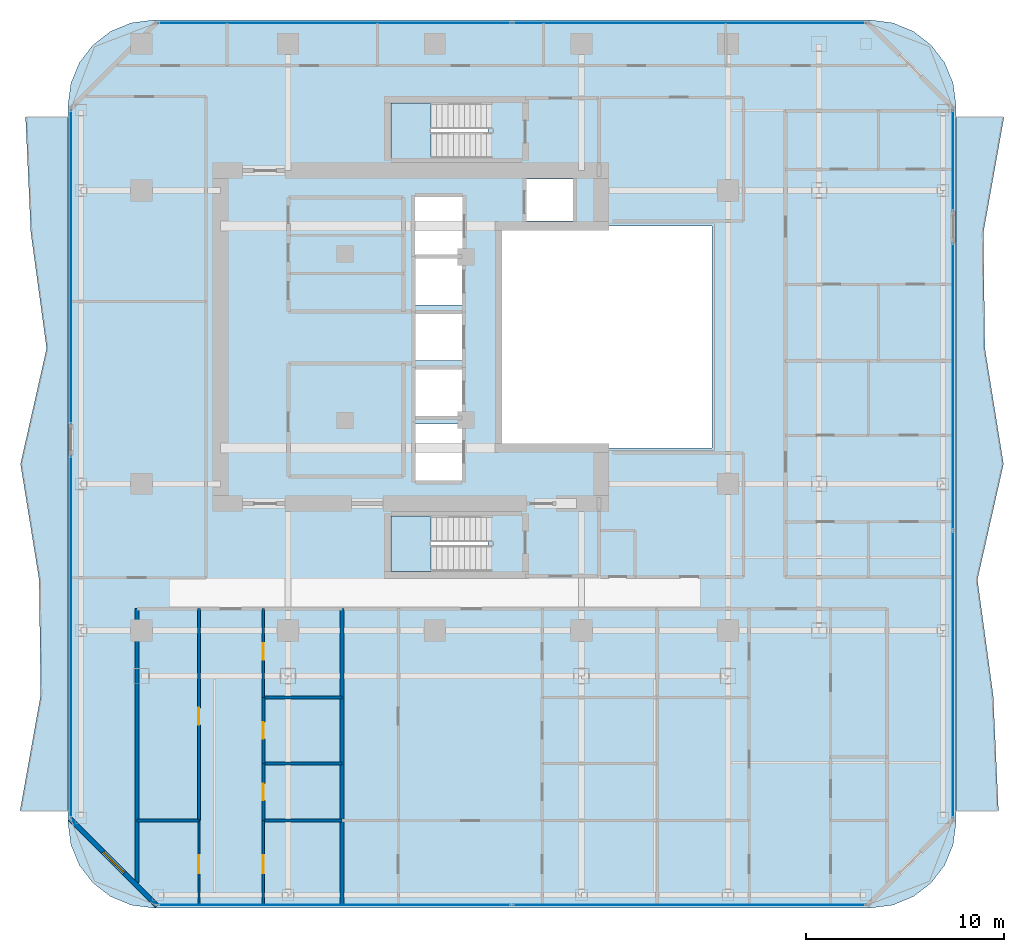
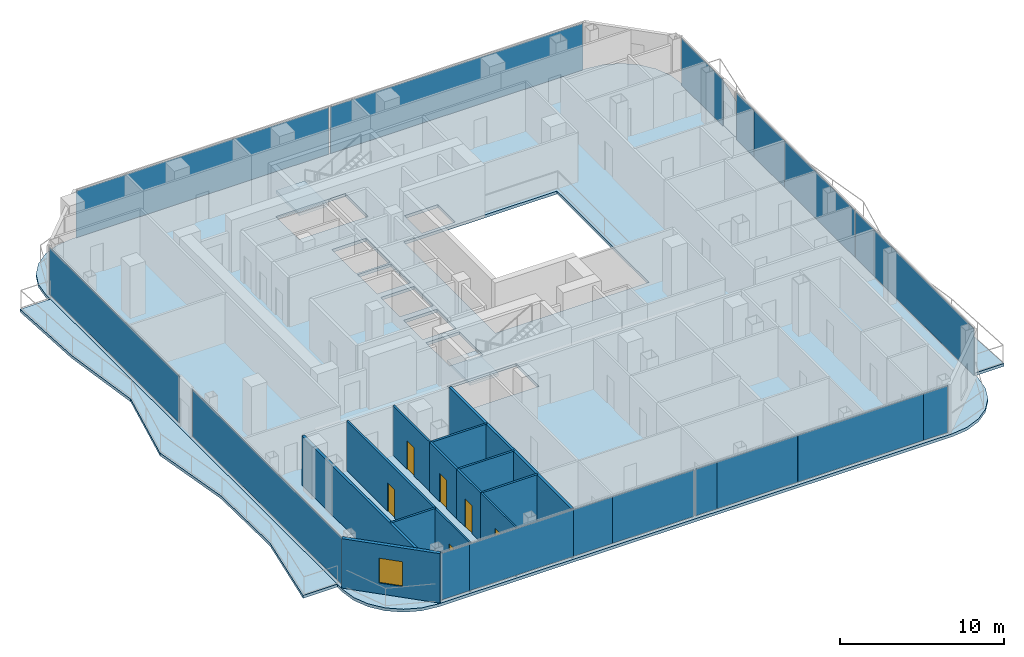
# One storey, part 19 of 27: 18 plates, 13 walls, 6 doors, 5 slabs, 1 window, 7 openings, 8 elements without a shape of their own.
"""IFC4 building model written with IfcOpenShell, lengths in metres."""

from ifc_helpers import new_model, si_unit, direction, frame, frame_2d, origin, origin_2d, place, context, subcontext, project, spatial, polyline, rectangle, outline, extrude, material, layer, layer_set, type_object, element, fill, aggregate, save


model = new_model("IFC4")

# Units and contexts
model_context = context("Model", 3, precision=1e-05, world=origin(), true_north=direction((0.0, 1.0)))
body_context = subcontext(model_context, "Body", "Model", "MODEL_VIEW")
ifc_project = project(units=[si_unit("LENGTHUNIT", "METRE"), si_unit("AREAUNIT", "SQUARE_METRE"), si_unit("VOLUMEUNIT", "CUBIC_METRE"), si_unit("PLANEANGLEUNIT", "RADIAN"), si_unit("MASSUNIT", "GRAM", prefix="KILO")], contexts=[model_context])

# Site, building, storey
site_placement = place(None, origin())
site = spatial("IfcSite", under=ifc_project, at=site_placement, CompositionType="ELEMENT")
building_placement = place(site_placement, origin())
building = spatial("IfcBuilding", under=site, at=building_placement, Name="Khorvyn Point Tower", CompositionType="ELEMENT")
storey_placement = place(building_placement, frame((0.0, 0.0, 227.39990234375)))
storey = spatial("IfcBuildingStorey", under=building, at=storey_placement, Name="L56", CompositionType="ELEMENT", Elevation=227.39990234375)

# Slabs
ifc_material_1 = material(Name="Concrete C35/45", Category="concrete")
ifc_layer_1 = layer(ifc_material_1, 0.219970703125)
ifc_layer_set_1 = layer_set([ifc_layer_1], Name="Concrete C35/45 Structural Floor Slab 220")
slab_type_1 = type_object("IfcSlabType", Name="Concrete C35/45 Structural Floor Slab 220", PredefinedType="FLOOR", material=ifc_layer_set_1)
slab_1_placement = place(storey_placement, frame((0.0, 0.0, -0.219970703125)))
element("IfcSlab", 1, at=slab_1_placement, inside=storey, type_object=slab_type_1, Name="L56 Main Structural Floor Slab", PredefinedType="FLOOR", context=body_context, shape_type="SweptSolid", body=[
    extrude(outline(polyline([(-14.199951171875, -28.800048828125), (-15.31298828125, -28.653564453125), (-16.35009765625, -28.223876953125), (-17.240478515625, -27.54052734375), (-17.923828125, -26.64990234375), (-18.353515625, -25.61279296875), (-18.5, -24.5), (-18.5, 11.699951171875), (-18.353515625, 12.81298828125), (-17.923828125, 13.85009765625), (-17.240478515625, 14.740478515625), (-16.35009765625, 15.423828125), (-15.31298828125, 15.853515625), (-14.199951171875, 16.0), (22.0, 16.0), (23.11279296875, 15.853515625), (24.14990234375, 15.423828125), (25.04052734375, 14.740478515625), (25.723876953125, 13.85009765625), (26.153564453125, 12.81298828125), (26.300048828125, 11.699951171875), (26.300048828125, -24.5), (26.153564453125, -25.61279296875), (25.723876953125, -26.64990234375), (25.04052734375, -27.54052734375), (24.14990234375, -28.223876953125), (23.11279296875, -28.653564453125), (22.0, -28.800048828125), (-14.199951171875, -28.800048828125)]), holes=[polyline([(2.679931640625, -11.820068359375), (2.679931640625, -9.02001953125), (-2.199951171875, -9.02001953125), (-2.199951171875, -11.820068359375), (2.679931640625, -11.820068359375)]), polyline([(1.375, -7.22509765625), (1.375, -4.375), (-0.97509765625, -4.375), (-0.97509765625, -7.22509765625), (1.375, -7.22509765625)]), polyline([(1.375, -3.97509765625), (1.375, -1.625), (-0.97509765625, -1.625), (-0.97509765625, -3.97509765625), (1.375, -3.97509765625)]), polyline([(1.375, -1.175048828125), (1.375, 1.175048828125), (-0.97509765625, 1.175048828125), (-0.97509765625, -1.175048828125), (1.375, -1.175048828125)]), polyline([(14.0, -5.60009765625), (14.0, 5.60009765625), (3.199951171875, 5.60009765625), (3.199951171875, -5.60009765625), (14.0, -5.60009765625)]), polyline([(1.375, 1.625), (1.375, 3.97509765625), (-0.97509765625, 3.97509765625), (-0.97509765625, 1.625), (1.375, 1.625)]), polyline([(1.39990234375, 4.125), (1.39990234375, 7.074951171875), (-1.0, 7.074951171875), (-1.0, 4.125), (1.39990234375, 4.125)]), polyline([(4.625, 5.85009765625), (6.97509765625, 5.85009765625), (6.97509765625, 7.97998046875), (4.625, 7.97998046875), (4.625, 5.85009765625)]), polyline([(-2.199951171875, 9.02001953125), (2.679931640625, 9.02001953125), (2.679931640625, 11.820068359375), (-2.199951171875, 11.820068359375), (-2.199951171875, 9.02001953125)])]), origin(), (0.0, 0.0, 1.0), 0.219970703125),
])
ifc_material_2 = material(Name="Concrete C40/50", Category="concrete")
ifc_layer_2 = layer(ifc_material_2, 0.2099609375)
ifc_layer_set_2 = layer_set([ifc_layer_2], Name="Concrete C40/50 Rippling Balcony Slab 210")
slab_type_2 = type_object("IfcSlabType", Name="Concrete C40/50 Rippling Balcony Slab 210", PredefinedType="USERDEFINED", material=ifc_layer_set_2)
slab_2_placement = place(storey_placement, frame((0.0, 0.0, -0.2099609375)))
element("IfcSlab", 2, at=slab_2_placement, inside=storey, type_object=slab_type_2, Name="L56 East Sinusoidal Rippling Balcony", ObjectType="BALCONY", PredefinedType="USERDEFINED", context=body_context, shape_type="SweptSolid", body=[
    extrude(outline(polyline([(26.300048828125, -23.89990234375), (28.443603515625, -23.89990234375), (28.177490234375, -18.066650390625), (27.38037109375, -12.2333984375), (28.69775390625, -6.39990234375), (27.7578125, -0.566650390625), (27.679931640625, 5.2666015625), (28.722412109375, 11.10009765625), (26.300048828125, 11.10009765625), (26.300048828125, -23.89990234375)])), origin(), (0.0, 0.0, 1.0), 0.2099609375),
])
slab_3_placement = place(storey_placement, frame((0.0, 0.0, -0.2099609375)))
element("IfcSlab", 3, at=slab_3_placement, inside=storey, type_object=slab_type_2, Name="L56 West Sinusoidal Rippling Balcony", ObjectType="BALCONY", PredefinedType="USERDEFINED", context=body_context, shape_type="SweptSolid", body=[
    extrude(outline(polyline([(-18.5, 11.10009765625), (-20.6435546875, 11.10009765625), (-20.37744140625, 5.2666015625), (-19.580322265625, -0.566650390625), (-20.897705078125, -6.39990234375), (-19.957763671875, -12.2333984375), (-19.8798828125, -18.066650390625), (-20.922607421875, -23.89990234375), (-18.5, -23.89990234375), (-18.5, 11.10009765625)])), origin(), (0.0, 0.0, 1.0), 0.2099609375),
])

# Stair, slab
stair_type = type_object("IfcStairType", Name="Tower Concrete C40/50 Dogleg Exit Stair", PredefinedType="HALF_TURN_STAIR", material=ifc_material_2)
stair_1_placement = place(storey_placement, origin())
stair_1 = element("IfcStair", 4, at=stair_1_placement, inside=storey, type_object=stair_type, Name="L56 Tower Smokeproof Exit Stair South", PredefinedType="HALF_TURN_STAIR")
ifc_layer_3 = layer(ifc_material_2, 0.199951171875)
ifc_layer_set_3 = layer_set([ifc_layer_3], Name="Concrete C40/50 Stair Landing Slab 200")
slab_type_3 = type_object("IfcSlabType", Name="Concrete C40/50 Stair Landing Slab 200", PredefinedType="LANDING", material=ifc_layer_set_3)
slab_4_placement = place(storey_placement, frame((0.0, 0.0, 1.75)))
slab_4 = element("IfcSlab", 5, at=slab_4_placement, type_object=slab_type_3, Name="ST-01 landing 1", PredefinedType="LANDING", context=body_context, shape_type="SweptSolid", body=[
    extrude(outline(polyline([(-0.179931640625, -9.02001953125), (-2.199951171875, -9.02001953125), (-2.199951171875, -11.820068359375), (-0.179931640625, -11.820068359375), (-0.179931640625, -9.02001953125)])), origin(), (0.0, 0.0, 1.0), 0.2001953125),
])
aggregate(stair_1, [slab_4])

stair_2_placement = place(storey_placement, origin())
stair_2 = element("IfcStair", 6, at=stair_2_placement, inside=storey, type_object=stair_type, Name="L56 Tower Smokeproof Exit Stair North", PredefinedType="HALF_TURN_STAIR")
slab_5_placement = place(storey_placement, frame((0.0, 0.0, 1.75)))
slab_5 = element("IfcSlab", 7, at=slab_5_placement, type_object=slab_type_3, Name="ST-02 landing 1", PredefinedType="LANDING", context=body_context, shape_type="SweptSolid", body=[
    extrude(outline(polyline([(-0.179931640625, 11.820068359375), (-2.199951171875, 11.820068359375), (-2.199951171875, 9.02001953125), (-0.179931640625, 9.02001953125), (-0.179931640625, 11.820068359375)])), origin(), (0.0, 0.0, 1.0), 0.2001953125),
])
aggregate(stair_2, [slab_5])

# Curtain wall, plates
ifc_material_3 = material(Name="Anodised aluminium 6063-T6 and laminated Low-E glass", Category="aluminium")
ifc_layer_4 = layer(ifc_material_3, 0.18994140625)
ifc_layer_set_4 = layer_set([ifc_layer_4], Name="Stick-Built Acoustic Curtain Wall CW-SYS-03")
curtain_wall_type = type_object("IfcCurtainWallType", Name="Stick-Built Acoustic Curtain Wall CW-SYS-03", PredefinedType="NOTDEFINED", material=ifc_layer_set_4)
curtain_wall_1_placement = place(storey_placement, origin())
curtain_wall_1 = element("IfcCurtainWall", 8, at=curtain_wall_1_placement, inside=storey, type_object=curtain_wall_type, Name="Curtain Wall", PredefinedType="NOTDEFINED")
ifc_material_4 = material(Name="Laminated Low-E insulated glass", Category="glass")
ifc_layer_5 = layer(ifc_material_4, 0.028076171875)
ifc_layer_set_5 = layer_set([ifc_layer_5], Name="Tempered Low-E Vision Glazing Panel CW-GL28")
plate_type = type_object("IfcPlateType", Name="Tempered Low-E Vision Glazing Panel CW-GL28", PredefinedType="CURTAIN_PANEL", material=ifc_layer_set_5)
plate_1_placement = place(storey_placement, frame((4.717529296875, -28.64990234375, 0.10009765625), z_axis=(0.0, 0.0, 1.0), x_axis=(-1.0, 0.0, 0.0)))
plate_1 = element("IfcPlate", 9, at=plate_1_placement, type_object=plate_type, Name="Panel", PredefinedType="CURTAIN_PANEL", context=body_context, shape_type="SweptSolid", body=[
    extrude(rectangle(XDim=1.527099609375, YDim=0.028076171875, at=origin_2d()), origin(), (0.0, 0.0, 1.0), 3.47998046875),
])
plate_2_placement = place(storey_placement, frame((8.326416015625, -28.64990234375, 0.10009765625), z_axis=(0.0, 0.0, 1.0), x_axis=(-1.0, 0.0, 0.0)))
plate_2 = element("IfcPlate", 10, at=plate_2_placement, type_object=plate_type, Name="Panel", PredefinedType="CURTAIN_PANEL", context=body_context, shape_type="SweptSolid", body=[
    extrude(rectangle(XDim=5.675048828125, YDim=0.028076171875, at=origin_2d()), origin(), (0.0, 0.0, 1.0), 3.47998046875),
])
plate_3_placement = place(storey_placement, frame((15.59912109375, -28.64990234375, 0.10009765625), z_axis=(0.0, 0.0, 1.0), x_axis=(-1.0, 0.0, 0.0)))
plate_3 = element("IfcPlate", 11, at=plate_3_placement, type_object=plate_type, Name="Panel", PredefinedType="CURTAIN_PANEL", context=body_context, shape_type="SweptSolid", body=[
    extrude(rectangle(XDim=8.85400390625, YDim=0.028076171875, at=origin_2d()), origin(), (0.0, 0.0, 1.0), 3.47998046875),
])
plate_4_placement = place(storey_placement, frame((20.889892578125, -28.64990234375, 0.10009765625), z_axis=(0.0, 0.0, 1.0), x_axis=(-1.0, 0.0, 0.0)))
plate_4 = element("IfcPlate", 12, at=plate_4_placement, type_object=plate_type, Name="Panel", PredefinedType="CURTAIN_PANEL", context=body_context, shape_type="SweptSolid", body=[
    extrude(rectangle(XDim=1.7119140625, YDim=0.028076171875, at=origin_2d()), origin(), (0.0, 0.0, 1.0), 3.47998046875),
])
plate_5_placement = place(storey_placement, frame((-12.951904296875, -28.64990234375, 0.10009765625), z_axis=(0.0, 0.0, 1.0), x_axis=(-1.0, 0.0, 0.0)))
plate_5 = element("IfcPlate", 13, at=plate_5_placement, type_object=plate_type, Name="Panel", PredefinedType="CURTAIN_PANEL", context=body_context, shape_type="SweptSolid", body=[
    extrude(rectangle(XDim=1.988037109375, YDim=0.028076171875, at=origin_2d()), origin(), (0.0, 0.0, 1.0), 3.47998046875),
])
plate_6_placement = place(storey_placement, frame((-8.285400390625, -28.64990234375, 0.10009765625), z_axis=(0.0, 0.0, 1.0), x_axis=(-1.0, 0.0, 0.0)))
plate_6 = element("IfcPlate", 14, at=plate_6_placement, type_object=plate_type, Name="Panel", PredefinedType="CURTAIN_PANEL", context=body_context, shape_type="SweptSolid", body=[
    extrude(rectangle(XDim=7.3291015625, YDim=0.028076171875, at=origin_2d()), origin(), (0.0, 0.0, 1.0), 3.47998046875),
])
plate_7_placement = place(storey_placement, frame((-3.251953125, -28.64990234375, 0.10009765625), z_axis=(0.0, 0.0, 1.0), x_axis=(-1.0, 0.0, 0.0)))
plate_7 = element("IfcPlate", 15, at=plate_7_placement, type_object=plate_type, Name="Panel", PredefinedType="CURTAIN_PANEL", context=body_context, shape_type="SweptSolid", body=[
    extrude(rectangle(XDim=2.721923828125, YDim=0.028076171875, at=origin_2d()), origin(), (0.0, 0.0, 1.0), 3.47998046875),
])
plate_8_placement = place(storey_placement, frame((0.9814453125, -28.64990234375, 0.10009765625), z_axis=(0.0, 0.0, 1.0), x_axis=(-1.0, 0.0, 0.0)))
plate_8 = element("IfcPlate", 16, at=plate_8_placement, type_object=plate_type, Name="Panel", PredefinedType="CURTAIN_PANEL", context=body_context, shape_type="SweptSolid", body=[
    extrude(rectangle(XDim=5.72900390625, YDim=0.028076171875, at=origin_2d()), origin(), (0.0, 0.0, 1.0), 3.47998046875),
])
aggregate(curtain_wall_1, [plate_1, plate_2, plate_3, plate_4, plate_5, plate_6, plate_7, plate_8])

curtain_wall_2_placement = place(storey_placement, origin())
curtain_wall_2 = element("IfcCurtainWall", 17, at=curtain_wall_2_placement, inside=storey, type_object=curtain_wall_type, Name="Curtain Wall", PredefinedType="NOTDEFINED")
plate_9_placement = place(storey_placement, frame((-5.050048828125, 15.85009765625, 0.10009765625), z_axis=(0.0, 0.0, 1.0), x_axis=(1.0, 0.0, 0.0)))
plate_9 = element("IfcPlate", 18, at=plate_9_placement, type_object=plate_type, Name="Panel", PredefinedType="CURTAIN_PANEL", context=body_context, shape_type="SweptSolid", body=[
    extrude(rectangle(XDim=17.800048828125, YDim=0.028076171875, at=origin_2d()), origin(), (0.0, 0.0, 1.0), 3.47998046875),
])
plate_10_placement = place(storey_placement, frame((12.85009765625, 15.85009765625, 0.10009765625), z_axis=(0.0, 0.0, 1.0), x_axis=(1.0, 0.0, 0.0)))
plate_10 = element("IfcPlate", 19, at=plate_10_placement, type_object=plate_type, Name="Panel", PredefinedType="CURTAIN_PANEL", context=body_context, shape_type="SweptSolid", body=[
    extrude(rectangle(XDim=17.800048828125, YDim=0.028076171875, at=origin_2d()), origin(), (0.0, 0.0, 1.0), 3.47998046875),
])
aggregate(curtain_wall_2, [plate_9, plate_10])

# Curtain wall, plate
curtain_wall_3_placement = place(storey_placement, origin())
curtain_wall_3 = element("IfcCurtainWall", 20, at=curtain_wall_3_placement, inside=storey, type_object=curtain_wall_type, Name="Curtain Wall", PredefinedType="NOTDEFINED")
plate_11_placement = place(storey_placement, frame((-18.35009765625, -15.125, 0.10009765625), z_axis=(0.0, 0.0, 1.0), x_axis=(0.0, 1.0, 0.0)))
plate_11 = element("IfcPlate", 21, at=plate_11_placement, type_object=plate_type, Name="Panel", PredefinedType="CURTAIN_PANEL", context=body_context, shape_type="SweptSolid", body=[
    extrude(rectangle(XDim=18.25, YDim=0.028076171875, at=origin_2d()), origin(), (0.0, 0.0, 1.0), 3.47998046875),
])
aggregate(curtain_wall_3, [plate_11])

curtain_wall_4_placement = place(storey_placement, origin())
curtain_wall_4 = element("IfcCurtainWall", 22, at=curtain_wall_4_placement, inside=storey, type_object=curtain_wall_type, Name="Curtain Wall", PredefinedType="NOTDEFINED")
plate_12_placement = place(storey_placement, frame((-18.35009765625, 3.544921875, 0.10009765625), z_axis=(0.0, 0.0, 1.0), x_axis=(0.0, 1.0, 0.0)))
plate_12 = element("IfcPlate", 23, at=plate_12_placement, type_object=plate_type, Name="Panel", PredefinedType="CURTAIN_PANEL", context=body_context, shape_type="SweptSolid", body=[
    extrude(rectangle(XDim=15.81005859375, YDim=0.028076171875, at=origin_2d()), origin(), (0.0, 0.0, 1.0), 3.47998046875),
])
aggregate(curtain_wall_4, [plate_12])

curtain_wall_5_placement = place(storey_placement, origin())
curtain_wall_5 = element("IfcCurtainWall", 24, at=curtain_wall_5_placement, inside=storey, type_object=curtain_wall_type, Name="Curtain Wall", PredefinedType="NOTDEFINED")
plate_13_placement = place(storey_placement, frame((26.14990234375, 8.916015625, 0.10009765625), z_axis=(0.0, 0.0, 1.0), x_axis=(0.0, -1.0, 0.0)))
plate_13 = element("IfcPlate", 25, at=plate_13_placement, type_object=plate_type, Name="Panel", PredefinedType="CURTAIN_PANEL", context=body_context, shape_type="SweptSolid", body=[
    extrude(rectangle(XDim=5.068115234375, YDim=0.028076171875, at=origin_2d()), origin(), (0.0, 0.0, 1.0), 3.47998046875),
])
aggregate(curtain_wall_5, [plate_13])

# Curtain wall, plates
curtain_wall_6_placement = place(storey_placement, origin())
curtain_wall_6 = element("IfcCurtainWall", 26, at=curtain_wall_6_placement, inside=storey, type_object=curtain_wall_type, Name="Curtain Wall", PredefinedType="NOTDEFINED")
plate_14_placement = place(storey_placement, frame((26.14990234375, -5.41845703125, 0.10009765625), z_axis=(0.0, 0.0, 1.0), x_axis=(0.0, -1.0, 0.0)))
plate_14 = element("IfcPlate", 27, at=plate_14_placement, type_object=plate_type, Name="Panel", PredefinedType="CURTAIN_PANEL", context=body_context, shape_type="SweptSolid", body=[
    extrude(rectangle(XDim=8.56298828125, YDim=0.028076171875, at=origin_2d()), origin(), (0.0, 0.0, 1.0), 3.47998046875),
])
plate_15_placement = place(storey_placement, frame((26.14990234375, 0.735107421875, 0.10009765625), z_axis=(0.0, 0.0, 1.0), x_axis=(0.0, -1.0, 0.0)))
plate_15 = element("IfcPlate", 28, at=plate_15_placement, type_object=plate_type, Name="Panel", PredefinedType="CURTAIN_PANEL", context=body_context, shape_type="SweptSolid", body=[
    extrude(rectangle(XDim=3.72802734375, YDim=0.028076171875, at=origin_2d()), origin(), (0.0, 0.0, 1.0), 3.47998046875),
])
plate_16_placement = place(storey_placement, frame((26.14990234375, 3.672607421875, 0.10009765625), z_axis=(0.0, 0.0, 1.0), x_axis=(0.0, -1.0, 0.0)))
plate_16 = element("IfcPlate", 29, at=plate_16_placement, type_object=plate_type, Name="Panel", PredefinedType="CURTAIN_PANEL", context=body_context, shape_type="SweptSolid", body=[
    extrude(rectangle(XDim=2.131103515625, YDim=0.028076171875, at=origin_2d()), origin(), (0.0, 0.0, 1.0), 3.47998046875),
])
plate_17_placement = place(storey_placement, frame((26.14990234375, -18.155029296875, 0.10009765625), z_axis=(0.0, 0.0, 1.0), x_axis=(0.0, -1.0, 0.0)))
plate_17 = element("IfcPlate", 30, at=plate_17_placement, type_object=plate_type, Name="Panel", PredefinedType="CURTAIN_PANEL", context=body_context, shape_type="SweptSolid", body=[
    extrude(rectangle(XDim=12.181884765625, YDim=0.028076171875, at=origin_2d()), origin(), (0.0, 0.0, 1.0), 3.47998046875),
])
plate_18_placement = place(storey_placement, frame((26.14990234375, -10.931884765625, 0.10009765625), z_axis=(0.0, 0.0, 1.0), x_axis=(0.0, -1.0, 0.0)))
plate_18 = element("IfcPlate", 31, at=plate_18_placement, type_object=plate_type, Name="Panel", PredefinedType="CURTAIN_PANEL", context=body_context, shape_type="SweptSolid", body=[
    extrude(rectangle(XDim=2.248046875, YDim=0.028076171875, at=origin_2d()), origin(), (0.0, 0.0, 1.0), 3.47998046875),
])
aggregate(curtain_wall_6, [plate_14, plate_15, plate_16, plate_17, plate_18])

# Walls
ifc_material_5 = material(Name="Double acoustic gypsum on twin steel stud", Category="steel")
ifc_layer_6 = layer(ifc_material_5, 0.179931640625)
ifc_layer_set_6 = layer_set([ifc_layer_6], Name="Acoustic Double-Stud Apartment Demising Wall 180")
wall_type_1 = type_object("IfcWallType", Name="Acoustic Double-Stud Apartment Demising Wall 180", PredefinedType="PARTITIONING", material=ifc_layer_set_6)
wall_1_placement = place(storey_placement, frame((-4.677001953125, -28.6298828125, 0.0), z_axis=(0.0, 0.0, 1.0), x_axis=(0.0, 1.0, 0.0)))
element("IfcWall", 32, at=wall_1_placement, inside=storey, type_object=wall_type_1, Name="Wall", PredefinedType="PARTITIONING", context=body_context, shape_type="SweptSolid", body=[
    extrude(rectangle(XDim=14.929931640625, YDim=0.179931640625, at=frame_2d((7.46484375, 0.0))), origin(), (0.0, 0.0, 1.0), 3.68017578125),
])
wall_2_placement = place(storey_placement, frame((-15.02001953125, -27.510009765625, 0.0), z_axis=(0.0, 0.0, 1.0), x_axis=(0.0, 1.0, 0.0)))
element("IfcWall", 33, at=wall_2_placement, inside=storey, type_object=wall_type_1, Name="Wall", PredefinedType="PARTITIONING", context=body_context, shape_type="SweptSolid", body=[
    extrude(rectangle(XDim=13.81005859375, YDim=0.179931640625, at=frame_2d((6.905029296875, 0.0))), origin(), (0.0, 0.0, 1.0), 3.68017578125),
])

# Wall, opening, window
ifc_material_6 = material(Name="Pale anodised aluminium rainscreen on steel stud", Category="steel")
ifc_layer_7 = layer(ifc_material_6, 0.239990234375)
ifc_layer_set_7 = layer_set([ifc_layer_7], Name="Anodised Aluminium Insulated Corner Spandrel Wall 240")
wall_type_2 = type_object("IfcWallType", Name="Anodised Aluminium Insulated Corner Spandrel Wall 240", PredefinedType="SOLIDWALL", material=ifc_layer_set_7)
wall_3_placement = place(storey_placement, frame((-14.007568359375, -28.6923828125, 0.0), z_axis=(0.0, 0.0, 1.0), x_axis=(-0.707106781187, 0.707106781187, 0.0)))
wall_3 = element("IfcWall", 34, at=wall_3_placement, inside=storey, type_object=wall_type_2, Name="L56 Rounded Corner Wall SW", PredefinedType="SOLIDWALL", context=body_context, shape_type="SweptSolid", body=[
    extrude(rectangle(XDim=6.200927734375, YDim=0.239990234375, at=frame_2d((3.1005859375, 0.0))), origin(), (0.0, 0.0, 1.0), 3.68017578125),
])
opening_1_placement = place(wall_3_placement, frame((2.3505859375, 0.0, 0.800048828125)))
opening_1 = element("IfcOpeningElement", 35, at=opening_1_placement, cuts=wall_3, Name="Opening WN-1518", PredefinedType="OPENING", context=body_context, shape_type="SweptSolid", body=[
    extrude(rectangle(XDim=1.5, YDim=1.85009765625, at=frame_2d((0.75, 0.925048828125))), frame((0.0, 0.1298828125, 0.0), z_axis=(0.0, -1.0, 0.0), x_axis=(1.0, 0.0, 0.0)), (0.0, 0.0, 1.0), 0.260009765625),
])
window_type = type_object("IfcWindowType", Name="Anodised Aluminium Rounded-Corner Panoramic Window 1500x1850", PartitioningType="SINGLE_PANEL", PredefinedType="WINDOW", material=ifc_material_3)
window_placement = place(opening_1_placement, origin())
window = element("IfcWindow", 36, at=window_placement, inside=storey, type_object=window_type, Name="L56 Corner Panoramic Window SW", OverallHeight=1.85009765625, OverallWidth=1.5, PartitioningType="SINGLE_PANEL", PredefinedType="WINDOW", context=body_context, shape_type="SweptSolid", body=[
    extrude(rectangle(XDim=1.5, YDim=1.85009765625, at=frame_2d((0.75, 0.925048828125))), frame((0.0, 0.030029296875, 0.0), z_axis=(0.0, -1.0, 0.0), x_axis=(1.0, 0.0, 0.0)), (0.0, 0.0, 1.0), 0.06005859375),
])
fill(opening_1, window)

# Wall, opening, door
ifc_material_7 = material(Name="Gypsum plasterboard on steel stud", Category="steel")
ifc_layer_8 = layer(ifc_material_7, 0.1201171875)
ifc_layer_set_8 = layer_set([ifc_layer_8], Name="Gypsum Acoustic Stud Room Partition Wall 120")
wall_type_3 = type_object("IfcWallType", Name="Gypsum Acoustic Stud Room Partition Wall 120", PredefinedType="PARTITIONING", material=ifc_layer_set_8)
wall_4_placement = place(storey_placement, frame((-11.89404296875, -28.6298828125, 0.0), z_axis=(0.0, 0.0, 1.0), x_axis=(0.0, 1.0, 0.0)))
wall_4 = element("IfcWall", 37, at=wall_4_placement, inside=storey, type_object=wall_type_3, Name="Wall", PredefinedType="PARTITIONING", context=body_context, shape_type="SweptSolid", body=[
    extrude(rectangle(XDim=4.239990234375, YDim=0.1201171875, at=frame_2d((2.1201171875, 0.0))), origin(), (0.0, 0.0, 1.0), 3.68017578125),
])
opening_2_placement = place(wall_4_placement, frame((1.581298828125, 0.0, 0.0)))
opening_2 = element("IfcOpeningElement", 38, at=opening_2_placement, cuts=wall_4, Name="Opening ID-RM90", PredefinedType="OPENING", context=body_context, shape_type="SweptSolid", body=[
    extrude(rectangle(XDim=0.89990234375, YDim=2.10009765625, at=frame_2d((0.449951171875, 1.050048828125))), frame((0.0, 0.070068359375, 0.0), z_axis=(0.0, -1.0, 0.0), x_axis=(1.0, 0.0, 0.0)), (0.0, 0.0, 1.0), 0.14013671875),
])
ifc_material_8 = material(Name="Engineered oak veneer timber", Category="wood")
door_type_1 = type_object("IfcDoorType", Name="Flush Engineered Timber Room Door 900x2100", OperationType="NOTDEFINED", PredefinedType="DOOR", material=ifc_material_8)
door_1_placement = place(opening_2_placement, origin())
door_1 = element("IfcDoor", 39, at=door_1_placement, inside=storey, type_object=door_type_1, Name="Door", OperationType="SINGLE_SWING_LEFT", OverallHeight=2.10009765625, OverallWidth=0.89990234375, PredefinedType="DOOR", context=body_context, shape_type="SweptSolid", body=[
    extrude(rectangle(XDim=0.89990234375, YDim=2.10009765625, at=frame_2d((0.449951171875, 1.050048828125))), frame((0.0, 0.02490234375, 0.0), z_axis=(0.0, -1.0, 0.0), x_axis=(1.0, 0.0, 0.0)), (0.0, 0.0, 1.0), 0.050048828125),
])
fill(opening_2, door_1)

wall_5_placement = place(storey_placement, frame((-8.64404296875, -18.18994140625, 0.0), z_axis=(0.0, 0.0, 1.0), x_axis=(0.0, 1.0, 0.0)))
wall_5 = element("IfcWall", 40, at=wall_5_placement, inside=storey, type_object=wall_type_3, Name="Wall", PredefinedType="PARTITIONING", context=body_context, shape_type="SweptSolid", body=[
    extrude(rectangle(XDim=4.489990234375, YDim=0.1201171875, at=frame_2d((2.2451171875, 0.0))), origin(), (0.0, 0.0, 1.0), 3.68017578125),
])
opening_3_placement = place(wall_5_placement, frame((1.907470703125, 0.0, 0.0)))
opening_3 = element("IfcOpeningElement", 41, at=opening_3_placement, cuts=wall_5, Name="Opening ID-WC85", PredefinedType="OPENING", context=body_context, shape_type="SweptSolid", body=[
    extrude(rectangle(XDim=0.85009765625, YDim=2.10009765625, at=frame_2d((0.425048828125, 1.050048828125))), frame((0.0, 0.070068359375, 0.0), z_axis=(0.0, -1.0, 0.0), x_axis=(1.0, 0.0, 0.0)), (0.0, 0.0, 1.0), 0.14013671875),
])
ifc_material_9 = material(Name="High-pressure laminate on moisture-resistant core", Category="wood")
door_type_2 = type_object("IfcDoorType", Name="Moisture-Resistant Accessible Washroom Door 850x2100", OperationType="NOTDEFINED", PredefinedType="DOOR", material=ifc_material_9)
door_2_placement = place(opening_3_placement, origin())
door_2 = element("IfcDoor", 42, at=door_2_placement, inside=storey, type_object=door_type_2, Name="Door", OperationType="SINGLE_SWING_RIGHT", OverallHeight=2.10009765625, OverallWidth=0.85009765625, PredefinedType="DOOR", context=body_context, shape_type="SweptSolid", body=[
    extrude(rectangle(XDim=0.85009765625, YDim=2.10009765625, at=frame_2d((0.425048828125, 1.050048828125))), frame((0.0, 0.02490234375, 0.0), z_axis=(0.0, -1.0, 0.0), x_axis=(1.0, 0.0, 0.0)), (0.0, 0.0, 1.0), 0.050048828125),
])
fill(opening_3, door_2)

wall_6_placement = place(storey_placement, frame((-8.64404296875, -28.6298828125, 0.0), z_axis=(0.0, 0.0, 1.0), x_axis=(0.0, 1.0, 0.0)))
wall_6 = element("IfcWall", 43, at=wall_6_placement, inside=storey, type_object=wall_type_3, Name="Wall", PredefinedType="PARTITIONING", context=body_context, shape_type="SweptSolid", body=[
    extrude(rectangle(XDim=4.239990234375, YDim=0.1201171875, at=frame_2d((2.1201171875, 0.0))), origin(), (0.0, 0.0, 1.0), 3.68017578125),
])
opening_4_placement = place(wall_6_placement, frame((1.581298828125, 0.0, 0.0)))
opening_4 = element("IfcOpeningElement", 44, at=opening_4_placement, cuts=wall_6, Name="Opening ID-RM90", PredefinedType="OPENING", context=body_context, shape_type="SweptSolid", body=[
    extrude(rectangle(XDim=0.89990234375, YDim=2.10009765625, at=frame_2d((0.449951171875, 1.050048828125))), frame((0.0, 0.070068359375, 0.0), z_axis=(0.0, -1.0, 0.0), x_axis=(1.0, 0.0, 0.0)), (0.0, 0.0, 1.0), 0.14013671875),
])
door_3_placement = place(opening_4_placement, origin())
door_3 = element("IfcDoor", 45, at=door_3_placement, inside=storey, type_object=door_type_1, Name="Door", OperationType="SINGLE_SWING_LEFT", OverallHeight=2.10009765625, OverallWidth=0.89990234375, PredefinedType="DOOR", context=body_context, shape_type="SweptSolid", body=[
    extrude(rectangle(XDim=0.89990234375, YDim=2.10009765625, at=frame_2d((0.449951171875, 1.050048828125))), frame((0.0, 0.02490234375, 0.0), z_axis=(0.0, -1.0, 0.0), x_axis=(1.0, 0.0, 0.0)), (0.0, 0.0, 1.0), 0.050048828125),
])
fill(opening_4, door_3)

ifc_material_10 = material(Name="Moisture-resistant gypsum and cement board", Category="gypsum")
ifc_layer_9 = layer(ifc_material_10, 0.14990234375)
ifc_layer_set_9 = layer_set([ifc_layer_9], Name="Moisture-Resistant Wet-Room Partition Wall 150")
wall_type_4 = type_object("IfcWallType", Name="Moisture-Resistant Wet-Room Partition Wall 150", PredefinedType="PARTITIONING", material=ifc_layer_set_9)
wall_7_placement = place(storey_placement, frame((-11.89404296875, -24.389892578125, 0.0), z_axis=(0.0, 0.0, 1.0), x_axis=(0.0, 1.0, 0.0)))
wall_7 = element("IfcWall", 46, at=wall_7_placement, inside=storey, type_object=wall_type_4, Name="Wall", PredefinedType="PARTITIONING", context=body_context, shape_type="SweptSolid", body=[
    extrude(rectangle(XDim=10.68994140625, YDim=0.14990234375, at=frame_2d((5.344970703125, 0.0))), origin(), (0.0, 0.0, 1.0), 3.68017578125),
])
opening_5_placement = place(wall_7_placement, frame((4.830078125, 0.0, 0.0)))
opening_5 = element("IfcOpeningElement", 47, at=opening_5_placement, cuts=wall_7, Name="Opening ID-WC85", PredefinedType="OPENING", context=body_context, shape_type="SweptSolid", body=[
    extrude(rectangle(XDim=0.85009765625, YDim=2.10009765625, at=frame_2d((0.425048828125, 1.050048828125))), frame((0.0, 0.0849609375, 0.0), z_axis=(0.0, -1.0, 0.0), x_axis=(1.0, 0.0, 0.0)), (0.0, 0.0, 1.0), 0.169921875),
])
door_4_placement = place(opening_5_placement, origin())
door_4 = element("IfcDoor", 48, at=door_4_placement, inside=storey, type_object=door_type_2, Name="Door", OperationType="SINGLE_SWING_RIGHT", OverallHeight=2.10009765625, OverallWidth=0.85009765625, PredefinedType="DOOR", context=body_context, shape_type="SweptSolid", body=[
    extrude(rectangle(XDim=0.85009765625, YDim=2.10009765625, at=frame_2d((0.425048828125, 1.050048828125))), frame((0.0, 0.02490234375, 0.0), z_axis=(0.0, -1.0, 0.0), x_axis=(1.0, 0.0, 0.0)), (0.0, 0.0, 1.0), 0.050048828125),
])
fill(opening_5, door_4)

wall_8_placement = place(storey_placement, frame((-8.64404296875, -24.389892578125, 0.0), z_axis=(0.0, 0.0, 1.0), x_axis=(0.0, 1.0, 0.0)))
wall_8 = element("IfcWall", 49, at=wall_8_placement, inside=storey, type_object=wall_type_4, Name="Wall", PredefinedType="PARTITIONING", context=body_context, shape_type="SweptSolid", body=[
    extrude(rectangle(XDim=2.885986328125, YDim=0.14990234375, at=frame_2d((1.44287109375, 0.0))), origin(), (0.0, 0.0, 1.0), 3.68017578125),
])
opening_6_placement = place(wall_8_placement, frame((1.01806640625, 0.0, 0.0)))
opening_6 = element("IfcOpeningElement", 50, at=opening_6_placement, cuts=wall_8, Name="Opening ID-WC85", PredefinedType="OPENING", context=body_context, shape_type="SweptSolid", body=[
    extrude(rectangle(XDim=0.85009765625, YDim=2.10009765625, at=frame_2d((0.425048828125, 1.050048828125))), frame((0.0, 0.0849609375, 0.0), z_axis=(0.0, -1.0, 0.0), x_axis=(1.0, 0.0, 0.0)), (0.0, 0.0, 1.0), 0.169921875),
])
door_5_placement = place(opening_6_placement, origin())
door_5 = element("IfcDoor", 51, at=door_5_placement, inside=storey, type_object=door_type_2, Name="Door", OperationType="SINGLE_SWING_RIGHT", OverallHeight=2.10009765625, OverallWidth=0.85009765625, PredefinedType="DOOR", context=body_context, shape_type="SweptSolid", body=[
    extrude(rectangle(XDim=0.85009765625, YDim=2.10009765625, at=frame_2d((0.425048828125, 1.050048828125))), frame((0.0, 0.02490234375, 0.0), z_axis=(0.0, -1.0, 0.0), x_axis=(1.0, 0.0, 0.0)), (0.0, 0.0, 1.0), 0.050048828125),
])
fill(opening_6, door_5)

wall_9_placement = place(storey_placement, frame((-8.64404296875, -21.50390625, 0.0), z_axis=(0.0, 0.0, 1.0), x_axis=(0.0, 1.0, 0.0)))
wall_9 = element("IfcWall", 52, at=wall_9_placement, inside=storey, type_object=wall_type_4, Name="Wall", PredefinedType="PARTITIONING", context=body_context, shape_type="SweptSolid", body=[
    extrude(rectangle(XDim=3.31396484375, YDim=0.14990234375, at=frame_2d((1.656982421875, 0.0))), origin(), (0.0, 0.0, 1.0), 3.68017578125),
])
opening_7_placement = place(wall_9_placement, frame((1.23193359375, 0.0, 0.0)))
opening_7 = element("IfcOpeningElement", 53, at=opening_7_placement, cuts=wall_9, Name="Opening ID-WC85", PredefinedType="OPENING", context=body_context, shape_type="SweptSolid", body=[
    extrude(rectangle(XDim=0.85009765625, YDim=2.10009765625, at=frame_2d((0.425048828125, 1.050048828125))), frame((0.0, 0.0849609375, 0.0), z_axis=(0.0, -1.0, 0.0), x_axis=(1.0, 0.0, 0.0)), (0.0, 0.0, 1.0), 0.169921875),
])
door_6_placement = place(opening_7_placement, origin())
door_6 = element("IfcDoor", 54, at=door_6_placement, inside=storey, type_object=door_type_2, Name="Door", OperationType="SINGLE_SWING_LEFT", OverallHeight=2.10009765625, OverallWidth=0.85009765625, PredefinedType="DOOR", context=body_context, shape_type="SweptSolid", body=[
    extrude(rectangle(XDim=0.85009765625, YDim=2.10009765625, at=frame_2d((0.425048828125, 1.050048828125))), frame((0.0, 0.02490234375, 0.0), z_axis=(0.0, -1.0, 0.0), x_axis=(1.0, 0.0, 0.0)), (0.0, 0.0, 1.0), 0.050048828125),
])
fill(opening_7, door_6)

# Walls
wall_10_placement = place(storey_placement, frame((-15.02001953125, -24.389892578125, 0.0), z_axis=(0.0, 0.0, 1.0), x_axis=(1.0, 0.0, 0.0)))
element("IfcWall", 55, at=wall_10_placement, inside=storey, type_object=wall_type_4, Name="Wall", PredefinedType="PARTITIONING", context=body_context, shape_type="SweptSolid", body=[
    extrude(rectangle(XDim=3.1259765625, YDim=0.14990234375, at=frame_2d((1.56298828125, 0.0))), origin(), (0.0, 0.0, 1.0), 3.68017578125),
])
for number, where, z_axis, x_axis, name in (
    (56, (-8.64404296875, -21.50390625, 0.0), (0.0, 0.0, 1.0), (1.0, 0.0, 0.0), "Wall"),
    (57, (-8.64404296875, -18.18994140625, 0.0), (0.0, 0.0, 1.0), (1.0, 0.0, 0.0), "Wall"),
    (58, (-8.64404296875, -24.389892578125, 0.0), (0.0, 0.0, 1.0), (1.0, 0.0, 0.0), "Wall"),
):
    element("IfcWall", number, at=place(storey_placement, frame(where, z_axis=z_axis, x_axis=x_axis)), inside=storey, type_object=wall_type_4, Name=name, PredefinedType="PARTITIONING", context=body_context, shape_type="SweptSolid", body=[
        extrude(rectangle(XDim=3.967041015625, YDim=0.14990234375, at=frame_2d((1.9833984375, 0.0))), origin(), (0.0, 0.0, 1.0), 3.68017578125),
    ])

save(model, "model.ifc")
